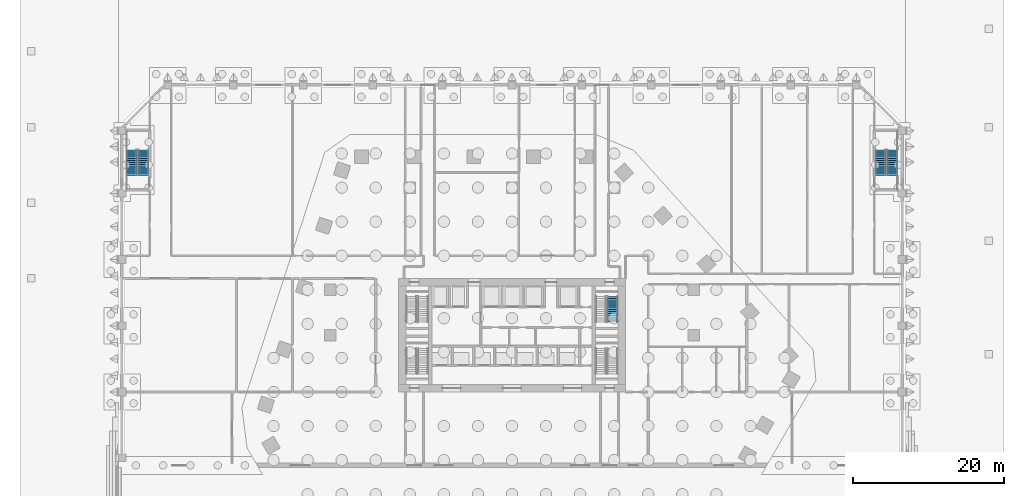
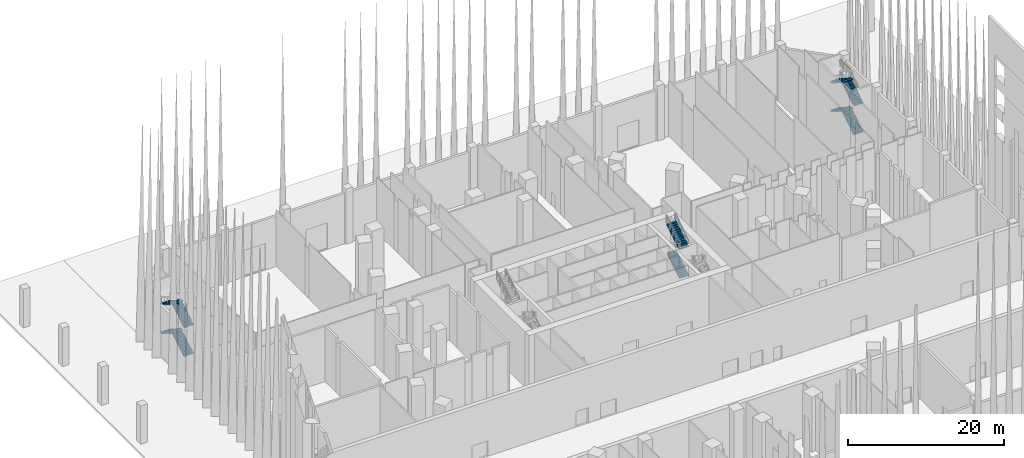
# One storey, part 17 of 32: 10 stair flights, 3 elements without a shape of their own.
"""IFC4 building model written with IfcOpenShell, lengths in metres."""

from ifc_helpers import new_model, si_unit, direction, frame, origin, place, context, subcontext, project, spatial, polyline, outline, extrude, material, type_object, element, aggregate, save


model = new_model("IFC4")

# Units and contexts
model_context = context("Model", 3, precision=1e-05, world=origin(), true_north=direction((0.0, 1.0)))
body_context = subcontext(model_context, "Body", "Model", "MODEL_VIEW")
ifc_project = project(units=[si_unit("LENGTHUNIT", "METRE"), si_unit("AREAUNIT", "SQUARE_METRE"), si_unit("VOLUMEUNIT", "CUBIC_METRE"), si_unit("PLANEANGLEUNIT", "RADIAN"), si_unit("MASSUNIT", "GRAM", prefix="KILO")], contexts=[model_context])

# Site, building, storey
site_placement = place(None, origin())
site = spatial("IfcSite", under=ifc_project, at=site_placement, CompositionType="ELEMENT")
building_placement = place(site_placement, origin())
building = spatial("IfcBuilding", under=site, at=building_placement, Name="Isthmus Gate Tower", CompositionType="ELEMENT")
storey_placement = place(building_placement, origin())
storey = spatial("IfcBuildingStorey", under=building, at=storey_placement, Name="L00", CompositionType="ELEMENT", Elevation=0.0)

# Stair, stair flights
ifc_material_1 = material(Name="Concrete f'c 40 MPa", Category="concrete")
stair_type_1 = type_object("IfcStairType", Name="Podium exit stair 1400 wide flights", PredefinedType="HALF_TURN_STAIR", material=ifc_material_1)
stair_1_placement = place(storey_placement, origin())
stair_1 = element("IfcStair", 1, at=stair_1_placement, inside=storey, type_object=stair_type_1, Name="L00 Podium Exit Stair ST5", PredefinedType="HALF_TURN_STAIR")
ifc_material_2 = material(Name="Concrete f'c 40 MPa", Category="concrete")
stair_flight_type_1 = type_object("IfcStairFlightType", Name="Podium stair flight 1400", PredefinedType="STRAIGHT", material=ifc_material_2)
stair_flight_1_placement = place(storey_placement, frame((50.25, 28.625, 0.0), z_axis=(0.0, 0.0, 1.0), x_axis=(0.0, 1.0, 0.0)))
stair_flight_1 = element("IfcStairFlight", 2, at=stair_flight_1_placement, type_object=stair_flight_type_1, Name="ST5 flight 1", NumberOfRisers=13, NumberOfTreads=12, PredefinedType="STRAIGHT", RiserHeight=0.173076923, TreadLength=0.28, context=body_context, shape_type="SweptSolid", body=[
    extrude(outline(polyline([(0.0, 0.0), (0.0, 0.173095703125), (0.280029296875, 0.173095703125), (0.280029296875, 0.34619140625), (0.56005859375, 0.34619140625), (0.56005859375, 0.519287109375), (0.840087890625, 0.519287109375), (0.840087890625, 0.6923828125), (1.1201171875, 0.6923828125), (1.1201171875, 0.865478515625), (1.39990234375, 0.865478515625), (1.39990234375, 1.03857421875), (1.679931640625, 1.03857421875), (1.679931640625, 1.21142578125), (1.9599609375, 1.21142578125), (1.9599609375, 1.384521484375), (2.239990234375, 1.384521484375), (2.239990234375, 1.5576171875), (2.52001953125, 1.5576171875), (2.52001953125, 1.730712890625), (2.800048828125, 1.730712890625), (2.800048828125, 1.90380859375), (3.080078125, 1.90380859375), (3.080078125, 2.076904296875), (3.360107421875, 2.076904296875), (3.360107421875, 2.25), (3.360107421875, 1.900634765625), (0.28515625, 0.0), (0.0, 0.0)])), frame((0.0, 0.699951171875, 0.0), z_axis=(0.0, -1.0, 0.0), x_axis=(1.0, 0.0, 0.0)), (0.0, 0.0, 1.0), 1.39990234375),
])
stair_flight_2_placement = place(storey_placement, frame((48.699951171875, 31.985107421875, 2.25), z_axis=(0.0, 0.0, 1.0), x_axis=(0.0, -1.0, 0.0)))
stair_flight_2 = element("IfcStairFlight", 3, at=stair_flight_2_placement, type_object=stair_flight_type_1, Name="ST5 flight 2", NumberOfRisers=13, NumberOfTreads=12, PredefinedType="STRAIGHT", RiserHeight=0.173076923, TreadLength=0.28, context=body_context, shape_type="SweptSolid", body=[
    extrude(outline(polyline([(0.0, 0.0), (0.0, 0.173095703125), (0.280029296875, 0.173095703125), (0.280029296875, 0.34619140625), (0.56005859375, 0.34619140625), (0.56005859375, 0.519287109375), (0.840087890625, 0.519287109375), (0.840087890625, 0.6923828125), (1.1201171875, 0.6923828125), (1.1201171875, 0.865478515625), (1.39990234375, 0.865478515625), (1.39990234375, 1.03857421875), (1.679931640625, 1.03857421875), (1.679931640625, 1.21142578125), (1.9599609375, 1.21142578125), (1.9599609375, 1.384521484375), (2.239990234375, 1.384521484375), (2.239990234375, 1.5576171875), (2.52001953125, 1.5576171875), (2.52001953125, 1.730712890625), (2.800048828125, 1.730712890625), (2.800048828125, 1.90380859375), (3.080078125, 1.90380859375), (3.080078125, 2.076904296875), (3.360107421875, 2.076904296875), (3.360107421875, 2.25), (3.360107421875, 1.900634765625), (0.28515625, 0.0), (0.0, 0.0)])), frame((0.0, 0.699951171875, 0.0), z_axis=(0.0, -1.0, 0.0), x_axis=(1.0, 0.0, 0.0)), (0.0, 0.0, 1.0), 1.39990234375),
])
stair_flight_3_placement = place(storey_placement, frame((50.25, 28.625, 4.5), z_axis=(0.0, 0.0, 1.0), x_axis=(0.0, 1.0, 0.0)))
stair_flight_3 = element("IfcStairFlight", 4, at=stair_flight_3_placement, type_object=stair_flight_type_1, Name="ST5 flight 3", NumberOfRisers=13, NumberOfTreads=12, PredefinedType="STRAIGHT", RiserHeight=0.173076923, TreadLength=0.28, context=body_context, shape_type="SweptSolid", body=[
    extrude(outline(polyline([(0.0, 0.0), (0.0, 0.173095703125), (0.280029296875, 0.173095703125), (0.280029296875, 0.34619140625), (0.56005859375, 0.34619140625), (0.56005859375, 0.519287109375), (0.840087890625, 0.519287109375), (0.840087890625, 0.6923828125), (1.1201171875, 0.6923828125), (1.1201171875, 0.865478515625), (1.39990234375, 0.865478515625), (1.39990234375, 1.03857421875), (1.679931640625, 1.03857421875), (1.679931640625, 1.21142578125), (1.9599609375, 1.21142578125), (1.9599609375, 1.384521484375), (2.239990234375, 1.384521484375), (2.239990234375, 1.5576171875), (2.52001953125, 1.5576171875), (2.52001953125, 1.730712890625), (2.800048828125, 1.730712890625), (2.800048828125, 1.90380859375), (3.080078125, 1.90380859375), (3.080078125, 2.076904296875), (3.360107421875, 2.076904296875), (3.360107421875, 2.25), (3.360107421875, 1.900634765625), (0.28515625, 0.0), (0.0, 0.0)])), frame((0.0, 0.699951171875, 0.0), z_axis=(0.0, -1.0, 0.0), x_axis=(1.0, 0.0, 0.0)), (0.0, 0.0, 1.0), 1.39990234375),
])
stair_flight_4_placement = place(storey_placement, frame((48.699951171875, 31.985107421875, 6.75), z_axis=(0.0, 0.0, 1.0), x_axis=(0.0, -1.0, 0.0)))
stair_flight_4 = element("IfcStairFlight", 5, at=stair_flight_4_placement, type_object=stair_flight_type_1, Name="ST5 flight 4", NumberOfRisers=13, NumberOfTreads=12, PredefinedType="STRAIGHT", RiserHeight=0.173076923, TreadLength=0.28, context=body_context, shape_type="SweptSolid", body=[
    extrude(outline(polyline([(0.0, 0.0), (0.0, 0.173095703125), (0.280029296875, 0.173095703125), (0.280029296875, 0.34619140625), (0.56005859375, 0.34619140625), (0.56005859375, 0.519287109375), (0.840087890625, 0.519287109375), (0.840087890625, 0.6923828125), (1.1201171875, 0.6923828125), (1.1201171875, 0.865478515625), (1.39990234375, 0.865478515625), (1.39990234375, 1.03857421875), (1.679931640625, 1.03857421875), (1.679931640625, 1.21142578125), (1.9599609375, 1.21142578125), (1.9599609375, 1.384521484375), (2.239990234375, 1.384521484375), (2.239990234375, 1.5576171875), (2.52001953125, 1.5576171875), (2.52001953125, 1.730712890625), (2.800048828125, 1.730712890625), (2.800048828125, 1.90380859375), (3.080078125, 1.90380859375), (3.080078125, 2.076904296875), (3.360107421875, 2.076904296875), (3.360107421875, 2.25), (3.360107421875, 1.900634765625), (0.28515625, 0.0), (0.0, 0.0)])), frame((0.0, 0.699951171875, 0.0), z_axis=(0.0, -1.0, 0.0), x_axis=(1.0, 0.0, 0.0)), (0.0, 0.0, 1.0), 1.39990234375),
])
aggregate(stair_1, [stair_flight_1, stair_flight_2, stair_flight_3, stair_flight_4])

stair_2_placement = place(storey_placement, origin())
stair_2 = element("IfcStair", 6, at=stair_2_placement, inside=storey, type_object=stair_type_1, Name="L00 Podium Exit Stair ST6", PredefinedType="HALF_TURN_STAIR")
stair_flight_5_placement = place(storey_placement, frame((-48.699951171875, 28.625, 0.0), z_axis=(0.0, 0.0, 1.0), x_axis=(0.0, 1.0, 0.0)))
stair_flight_5 = element("IfcStairFlight", 7, at=stair_flight_5_placement, type_object=stair_flight_type_1, Name="ST6 flight 1", NumberOfRisers=13, NumberOfTreads=12, PredefinedType="STRAIGHT", RiserHeight=0.173076923, TreadLength=0.28, context=body_context, shape_type="SweptSolid", body=[
    extrude(outline(polyline([(0.0, 0.0), (0.0, 0.173095703125), (0.280029296875, 0.173095703125), (0.280029296875, 0.34619140625), (0.56005859375, 0.34619140625), (0.56005859375, 0.519287109375), (0.840087890625, 0.519287109375), (0.840087890625, 0.6923828125), (1.1201171875, 0.6923828125), (1.1201171875, 0.865478515625), (1.39990234375, 0.865478515625), (1.39990234375, 1.03857421875), (1.679931640625, 1.03857421875), (1.679931640625, 1.21142578125), (1.9599609375, 1.21142578125), (1.9599609375, 1.384521484375), (2.239990234375, 1.384521484375), (2.239990234375, 1.5576171875), (2.52001953125, 1.5576171875), (2.52001953125, 1.730712890625), (2.800048828125, 1.730712890625), (2.800048828125, 1.90380859375), (3.080078125, 1.90380859375), (3.080078125, 2.076904296875), (3.360107421875, 2.076904296875), (3.360107421875, 2.25), (3.360107421875, 1.900634765625), (0.28515625, 0.0), (0.0, 0.0)])), frame((0.0, 0.699951171875, 0.0), z_axis=(0.0, -1.0, 0.0), x_axis=(1.0, 0.0, 0.0)), (0.0, 0.0, 1.0), 1.39990234375),
])
stair_flight_6_placement = place(storey_placement, frame((-50.25, 31.985107421875, 2.25), z_axis=(0.0, 0.0, 1.0), x_axis=(0.0, -1.0, 0.0)))
stair_flight_6 = element("IfcStairFlight", 8, at=stair_flight_6_placement, type_object=stair_flight_type_1, Name="ST6 flight 2", NumberOfRisers=13, NumberOfTreads=12, PredefinedType="STRAIGHT", RiserHeight=0.173076923, TreadLength=0.28, context=body_context, shape_type="SweptSolid", body=[
    extrude(outline(polyline([(0.0, 0.0), (0.0, 0.173095703125), (0.280029296875, 0.173095703125), (0.280029296875, 0.34619140625), (0.56005859375, 0.34619140625), (0.56005859375, 0.519287109375), (0.840087890625, 0.519287109375), (0.840087890625, 0.6923828125), (1.1201171875, 0.6923828125), (1.1201171875, 0.865478515625), (1.39990234375, 0.865478515625), (1.39990234375, 1.03857421875), (1.679931640625, 1.03857421875), (1.679931640625, 1.21142578125), (1.9599609375, 1.21142578125), (1.9599609375, 1.384521484375), (2.239990234375, 1.384521484375), (2.239990234375, 1.5576171875), (2.52001953125, 1.5576171875), (2.52001953125, 1.730712890625), (2.800048828125, 1.730712890625), (2.800048828125, 1.90380859375), (3.080078125, 1.90380859375), (3.080078125, 2.076904296875), (3.360107421875, 2.076904296875), (3.360107421875, 2.25), (3.360107421875, 1.900634765625), (0.28515625, 0.0), (0.0, 0.0)])), frame((0.0, 0.699951171875, 0.0), z_axis=(0.0, -1.0, 0.0), x_axis=(1.0, 0.0, 0.0)), (0.0, 0.0, 1.0), 1.39990234375),
])
stair_flight_7_placement = place(storey_placement, frame((-48.699951171875, 28.625, 4.5), z_axis=(0.0, 0.0, 1.0), x_axis=(0.0, 1.0, 0.0)))
stair_flight_7 = element("IfcStairFlight", 9, at=stair_flight_7_placement, type_object=stair_flight_type_1, Name="ST6 flight 3", NumberOfRisers=13, NumberOfTreads=12, PredefinedType="STRAIGHT", RiserHeight=0.173076923, TreadLength=0.28, context=body_context, shape_type="SweptSolid", body=[
    extrude(outline(polyline([(0.0, 0.0), (0.0, 0.173095703125), (0.280029296875, 0.173095703125), (0.280029296875, 0.34619140625), (0.56005859375, 0.34619140625), (0.56005859375, 0.519287109375), (0.840087890625, 0.519287109375), (0.840087890625, 0.6923828125), (1.1201171875, 0.6923828125), (1.1201171875, 0.865478515625), (1.39990234375, 0.865478515625), (1.39990234375, 1.03857421875), (1.679931640625, 1.03857421875), (1.679931640625, 1.21142578125), (1.9599609375, 1.21142578125), (1.9599609375, 1.384521484375), (2.239990234375, 1.384521484375), (2.239990234375, 1.5576171875), (2.52001953125, 1.5576171875), (2.52001953125, 1.730712890625), (2.800048828125, 1.730712890625), (2.800048828125, 1.90380859375), (3.080078125, 1.90380859375), (3.080078125, 2.076904296875), (3.360107421875, 2.076904296875), (3.360107421875, 2.25), (3.360107421875, 1.900634765625), (0.28515625, 0.0), (0.0, 0.0)])), frame((0.0, 0.699951171875, 0.0), z_axis=(0.0, -1.0, 0.0), x_axis=(1.0, 0.0, 0.0)), (0.0, 0.0, 1.0), 1.39990234375),
])
stair_flight_8_placement = place(storey_placement, frame((-50.25, 31.985107421875, 6.75), z_axis=(0.0, 0.0, 1.0), x_axis=(0.0, -1.0, 0.0)))
stair_flight_8 = element("IfcStairFlight", 10, at=stair_flight_8_placement, type_object=stair_flight_type_1, Name="ST6 flight 4", NumberOfRisers=13, NumberOfTreads=12, PredefinedType="STRAIGHT", RiserHeight=0.173076923, TreadLength=0.28, context=body_context, shape_type="SweptSolid", body=[
    extrude(outline(polyline([(0.0, 0.0), (0.0, 0.173095703125), (0.280029296875, 0.173095703125), (0.280029296875, 0.34619140625), (0.56005859375, 0.34619140625), (0.56005859375, 0.519287109375), (0.840087890625, 0.519287109375), (0.840087890625, 0.6923828125), (1.1201171875, 0.6923828125), (1.1201171875, 0.865478515625), (1.39990234375, 0.865478515625), (1.39990234375, 1.03857421875), (1.679931640625, 1.03857421875), (1.679931640625, 1.21142578125), (1.9599609375, 1.21142578125), (1.9599609375, 1.384521484375), (2.239990234375, 1.384521484375), (2.239990234375, 1.5576171875), (2.52001953125, 1.5576171875), (2.52001953125, 1.730712890625), (2.800048828125, 1.730712890625), (2.800048828125, 1.90380859375), (3.080078125, 1.90380859375), (3.080078125, 2.076904296875), (3.360107421875, 2.076904296875), (3.360107421875, 2.25), (3.360107421875, 1.900634765625), (0.28515625, 0.0), (0.0, 0.0)])), frame((0.0, 0.699951171875, 0.0), z_axis=(0.0, -1.0, 0.0), x_axis=(1.0, 0.0, 0.0)), (0.0, 0.0, 1.0), 1.39990234375),
])
aggregate(stair_2, [stair_flight_5, stair_flight_6, stair_flight_7, stair_flight_8])

ifc_material_3 = material(Name="Concrete f'c 40 MPa", Category="concrete")
stair_type_2 = type_object("IfcStairType", Name="CORE STAIR 52 RISERS", PredefinedType="HALF_TURN_STAIR", material=ifc_material_3)
stair_3_placement = place(storey_placement, origin())
stair_3 = element("IfcStair", 11, at=stair_3_placement, inside=storey, type_object=stair_type_2, Name="L00 Exit Stair 2", PredefinedType="HALF_TURN_STAIR")
ifc_material_4 = material(Name="Concrete f'c 40 MPa", Category="concrete")
stair_flight_type_2 = type_object("IfcStairFlightType", Name="STAIR FLIGHT RC 1400", PredefinedType="STRAIGHT", material=ifc_material_4)
stair_flight_9_placement = place(storey_placement, frame((13.300048828125, 9.239990234375, 2.25), z_axis=(0.0, 0.0, 1.0), x_axis=(0.0, 1.0, 0.0)))
stair_flight_9 = element("IfcStairFlight", 12, at=stair_flight_9_placement, type_object=stair_flight_type_2, Name="ST2 flight 2", NumberOfRisers=13, NumberOfTreads=12, PredefinedType="STRAIGHT", RiserHeight=0.173076923, TreadLength=0.28, context=body_context, shape_type="SweptSolid", body=[
    extrude(outline(polyline([(0.0, 0.0), (0.0, 0.173095703125), (0.280029296875, 0.173095703125), (0.280029296875, 0.34619140625), (0.56005859375, 0.34619140625), (0.56005859375, 0.519287109375), (0.840087890625, 0.519287109375), (0.840087890625, 0.6923828125), (1.1201171875, 0.6923828125), (1.1201171875, 0.865478515625), (1.39990234375, 0.865478515625), (1.39990234375, 1.03857421875), (1.679931640625, 1.03857421875), (1.679931640625, 1.21142578125), (1.9599609375, 1.21142578125), (1.9599609375, 1.384521484375), (2.239990234375, 1.384521484375), (2.239990234375, 1.5576171875), (2.52001953125, 1.5576171875), (2.52001953125, 1.730712890625), (2.800048828125, 1.730712890625), (2.800048828125, 1.90380859375), (3.080078125, 1.90380859375), (3.080078125, 2.076904296875), (3.360107421875, 2.076904296875), (3.360107421875, 2.25), (3.360107421875, 1.900634765625), (0.28515625, 0.0), (0.0, 0.0)])), frame((0.0, 0.699951171875, 0.0), z_axis=(0.0, -1.0, 0.0), x_axis=(1.0, 0.0, 0.0)), (0.0, 0.0, 1.0), 1.39990234375),
])
stair_flight_10_placement = place(storey_placement, frame((13.300048828125, 9.239990234375, 6.75), z_axis=(0.0, 0.0, 1.0), x_axis=(0.0, 1.0, 0.0)))
stair_flight_10 = element("IfcStairFlight", 13, at=stair_flight_10_placement, type_object=stair_flight_type_2, Name="ST2 flight 4", NumberOfRisers=13, NumberOfTreads=12, PredefinedType="STRAIGHT", RiserHeight=0.173076923, TreadLength=0.28, context=body_context, shape_type="SweptSolid", body=[
    extrude(outline(polyline([(0.0, 0.0), (0.0, 0.173095703125), (0.280029296875, 0.173095703125), (0.280029296875, 0.34619140625), (0.56005859375, 0.34619140625), (0.56005859375, 0.519287109375), (0.840087890625, 0.519287109375), (0.840087890625, 0.6923828125), (1.1201171875, 0.6923828125), (1.1201171875, 0.865478515625), (1.39990234375, 0.865478515625), (1.39990234375, 1.03857421875), (1.679931640625, 1.03857421875), (1.679931640625, 1.21142578125), (1.9599609375, 1.21142578125), (1.9599609375, 1.384521484375), (2.239990234375, 1.384521484375), (2.239990234375, 1.5576171875), (2.52001953125, 1.5576171875), (2.52001953125, 1.730712890625), (2.800048828125, 1.730712890625), (2.800048828125, 1.90380859375), (3.080078125, 1.90380859375), (3.080078125, 2.076904296875), (3.360107421875, 2.076904296875), (3.360107421875, 2.25), (3.360107421875, 1.900634765625), (0.28515625, 0.0), (0.0, 0.0)])), frame((0.0, 0.699951171875, 0.0), z_axis=(0.0, -1.0, 0.0), x_axis=(1.0, 0.0, 0.0)), (0.0, 0.0, 1.0), 1.39990234375),
])
aggregate(stair_3, [stair_flight_9, stair_flight_10])

save(model, "model.ifc")
